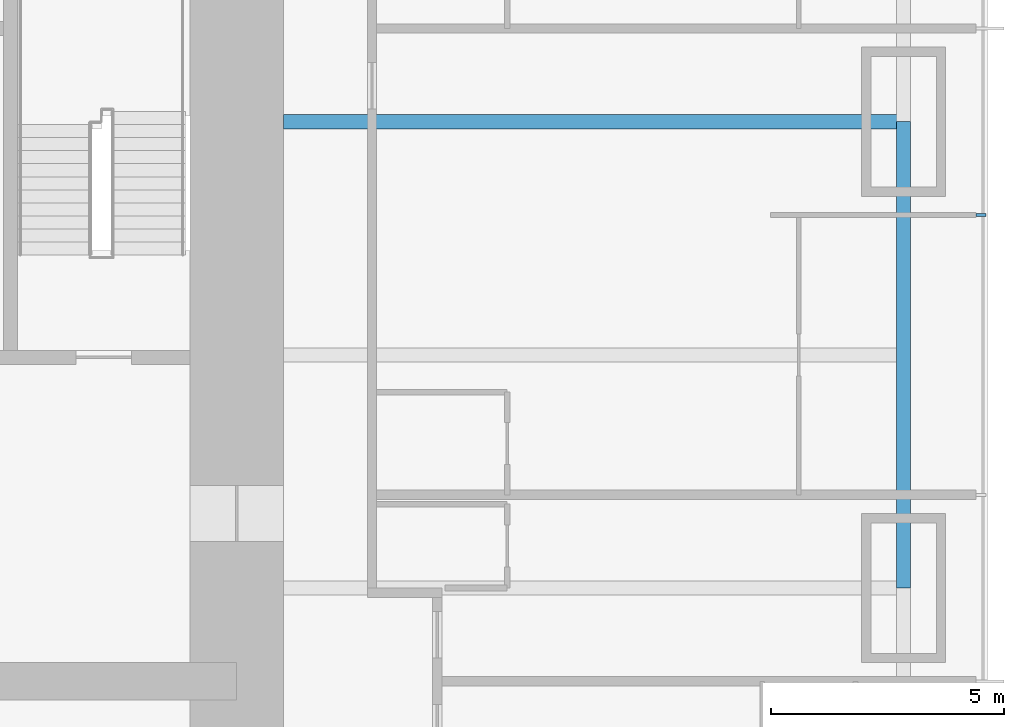
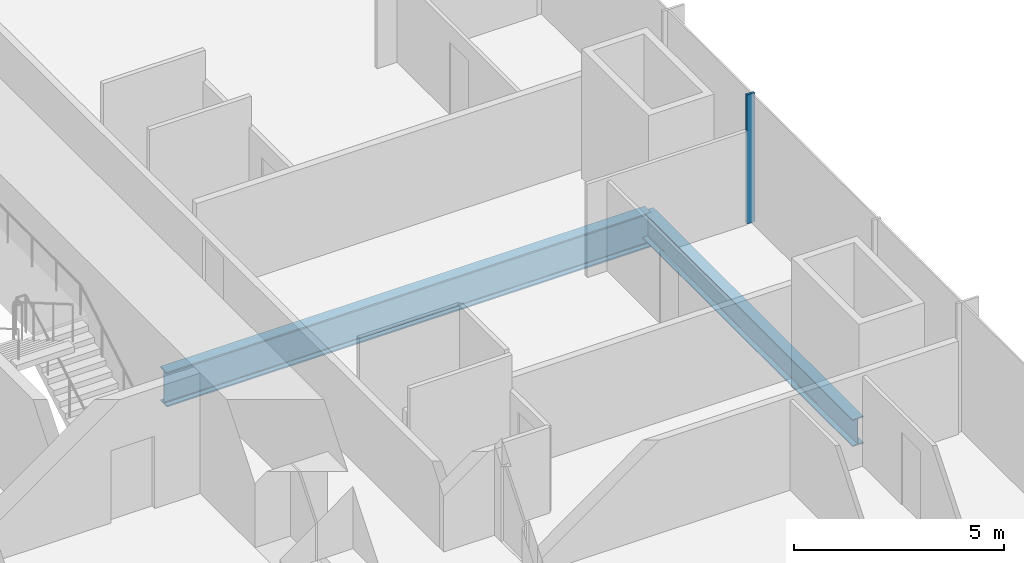
# One storey, part 5 of 17: 2 beams, 1 member, 1 element without a shape of its own.
"""IFC4 building model written with IfcOpenShell, lengths in metres."""

import ifcopenshell
import ifcopenshell.guid

model = None  # the IFC model being written
_history = None  # IfcOwnerHistory: only IFC2X3 demands one
_inside = {}  # id of a spatial element -> (the spatial element, [elements in it])
_under = {}  # id of a project, library or spatial element -> (it, [spatial elements below it])
_declared = {}  # id of a project -> (the project, [libraries it declares])
_typed = {}  # id of a type object -> (the type object, [elements of that type])
_made_of = {}  # id of a material, layer set ... -> (it, [elements and type objects made of it])


def new_model(schema):
    """Start an empty IFC model of exactly this schema.

    Asked for "IFC4X3", IfcOpenShell would pick the latest addendum, in which some entities
    have other attributes; the version numbers below select the first issue.
    IFC2X3 requires an IfcOwnerHistory on every rooted entity: one is made here for all.
    """
    global model, _history
    if schema == "IFC4X3":
        model = ifcopenshell.file(schema_version=(4, 3, 0, 0))
    else:
        model = ifcopenshell.file(schema=schema)
    _inside.clear()
    _under.clear()
    _declared.clear()
    _typed.clear()
    _made_of.clear()
    _history = None
    if model.schema == "IFC2X3":
        org = make("IfcOrganization", Name="unknown")
        user = make(
            "IfcPersonAndOrganization",
            ThePerson=make("IfcPerson", FamilyName="unknown"),
            TheOrganization=org,
        )
        app = make(
            "IfcApplication",
            ApplicationDeveloper=org,
            Version="unknown",
            ApplicationFullName="unknown",
            ApplicationIdentifier="unknown",
        )
        _history = make(
            "IfcOwnerHistory",
            OwningUser=user,
            OwningApplication=app,
            ChangeAction="ADDED",
            CreationDate=0,
        )
    return model


def make(cls, **values):
    """One entity of the class cls with the attributes given. An attribute that is None is left unset."""
    return model.create_entity(
        cls, **{name: value for name, value in values.items() if value is not None}
    )


def rooted(cls, **values):
    """An entity with a GlobalId (a new one), such as an element, a storey or a relation."""
    return make(cls, GlobalId=ifcopenshell.guid.new(), OwnerHistory=_history, **values)


def si_unit(unit_type, name, prefix=None):
    """IfcSIUnit, for example si_unit("LENGTHUNIT", "METRE", prefix="MILLI")."""
    return make("IfcSIUnit", UnitType=unit_type, Prefix=prefix, Name=name)


def assignment(units):
    """IfcUnitAssignment: the units of a project."""
    return None if units is None else make("IfcUnitAssignment", Units=units)


def point(xyz):
    """IfcCartesianPoint."""
    return None if xyz is None else make("IfcCartesianPoint", Coordinates=xyz)


def direction(xyz):
    """IfcDirection."""
    return None if xyz is None else make("IfcDirection", DirectionRatios=xyz)


def frame(location, z_axis=None, x_axis=None):
    """IfcAxis2Placement3D, a coordinate frame: its origin and axes. An axis left out is left unset."""
    return make(
        "IfcAxis2Placement3D",
        Location=point(location),
        Axis=direction(z_axis),
        RefDirection=direction(x_axis),
    )


def frame_2d(location, x_axis=None):
    """IfcAxis2Placement2D, a coordinate frame in the plane: its origin and x axis."""
    return make(
        "IfcAxis2Placement2D", Location=point(location), RefDirection=direction(x_axis)
    )


def origin():
    """The frame at (0, 0, 0) with its axes left unset."""
    return frame((0.0, 0.0, 0.0))


def origin_2d():
    """The frame at (0, 0) in the plane with its x axis left unset."""
    return frame_2d((0.0, 0.0))


def place(relative_to, where):
    """IfcLocalPlacement: puts the frame where relative to a parent placement (None: the world)."""
    return make(
        "IfcLocalPlacement", PlacementRelTo=relative_to, RelativePlacement=where
    )


def context(
    kind, dimensions, precision=None, world=None, true_north=None, identifier=None
):
    """IfcGeometricRepresentationContext, for example the 3D "Model" context."""
    return make(
        "IfcGeometricRepresentationContext",
        ContextIdentifier=identifier,
        ContextType=kind,
        CoordinateSpaceDimension=dimensions,
        Precision=precision,
        WorldCoordinateSystem=world,
        TrueNorth=true_north,
    )


def subcontext(parent, identifier, kind, view, scale=None):
    """IfcGeometricRepresentationSubContext, for example "Body" below "Model"."""
    return make(
        "IfcGeometricRepresentationSubContext",
        ContextIdentifier=identifier,
        ContextType=kind,
        ParentContext=parent,
        TargetScale=scale,
        TargetView=view,
    )


def project(units=None, contexts=None):
    """IfcProject with its units and contexts."""
    return rooted(
        "IfcProject",
        Name="project",
        RepresentationContexts=contexts,
        UnitsInContext=assignment(units),
    )


def spatial(cls, under=None, at=None, **own):
    """A site, building, storey or space (cls), placed at a placement, below another one or the project."""
    s = rooted(cls, ObjectPlacement=at, **own)
    if under is not None:
        _under.setdefault(under.id(), (under, []))[1].append(s)
    return s


def profile(cls, at=None, kind="AREA", **sizes):
    """A parametric profile (cls). Its sizes go by their IFC names, for example OverallWidth=200.0."""
    return make(cls, ProfileType=kind, Position=at, **sizes)


def rectangle(**sizes):
    """IfcRectangleProfileDef."""
    return profile("IfcRectangleProfileDef", **sizes)


def i_section(**sizes):
    """IfcIShapeProfileDef."""
    return profile("IfcIShapeProfileDef", **sizes)


def extrude(swept, where, along, depth):
    """IfcExtrudedAreaSolid: the profile swept, set in the frame where, extruded along a direction by depth."""
    return make(
        "IfcExtrudedAreaSolid",
        SweptArea=swept,
        Position=where,
        ExtrudedDirection=direction(along),
        Depth=depth,
    )


def shape(context_of_items, identifier, shape_type, items):
    """IfcShapeRepresentation: the items that make up one representation, for example the "Body"."""
    return make(
        "IfcShapeRepresentation",
        ContextOfItems=context_of_items,
        RepresentationIdentifier=identifier,
        RepresentationType=shape_type,
        Items=items,
    )


def material(Name=None, Category=None):
    """IfcMaterial."""
    return make("IfcMaterial", Name=Name, Category=Category)


def material_profile(
    of_material, cross_section, Name=None, Category=None, Priority=None
):
    """IfcMaterialProfile: a cross section and its material."""
    return make(
        "IfcMaterialProfile",
        Name=Name,
        Material=of_material,
        Profile=cross_section,
        Priority=Priority,
        Category=Category,
    )


def profile_set(profiles, Name=None, composite=None):
    """IfcMaterialProfileSet."""
    return make(
        "IfcMaterialProfileSet",
        Name=Name,
        MaterialProfiles=profiles,
        CompositeProfile=composite,
    )


def made_of(thing, what):
    """Note that an element or type object is made of a material, layer set ...; save() writes the relation."""
    if what is not None:
        _made_of.setdefault(what.id(), (what, []))[1].append(thing)
    return thing


def type_object(cls, material=None, **own):
    """A type object (cls), such as IfcWallType, which elements share."""
    return made_of(rooted(cls, **own), material)


def element(
    cls,
    number,
    at=None,
    inside=None,
    cuts=None,
    type_object=None,
    material=None,
    context=None,
    identifier="Body",
    shape_type=None,
    held_by="IfcProductDefinitionShape",
    body=None,
    shapes=None,
    **own,
):
    """One element of the class cls, such as IfcWall. Its Tag is "e" and its number.

    at: its placement. inside: the storey or other place that contains it. cuts: it is an
    opening in that element (IfcRelVoidsElement). A single representation is given by context,
    identifier, shape_type and body (its items); several are given by shapes. held_by: the class
    of the entity that holds the representations. save() writes the other relations.
    """
    e = rooted(cls, Tag="e%d" % number, ObjectPlacement=at, **own)
    if body is not None:
        shapes = [shape(context, identifier, shape_type, body)]
    if shapes is not None:
        e.Representation = make(held_by, Representations=shapes)
    if inside is not None:
        _inside.setdefault(inside.id(), (inside, []))[1].append(e)
    if cuts is not None:
        rooted(
            "IfcRelVoidsElement", RelatingBuildingElement=cuts, RelatedOpeningElement=e
        )
    if type_object is not None:
        _typed.setdefault(type_object.id(), (type_object, []))[1].append(e)
    return made_of(e, material)


def aggregate(whole, parts):
    """IfcRelAggregates: a whole, such as a stair, and the parts it consists of."""
    return rooted("IfcRelAggregates", RelatingObject=whole, RelatedObjects=parts)


def save(model, path):
    """Write the relations noted so far, then the file.

    IfcRelAggregates (storeys below a building ...), IfcRelContainedInSpatialStructure (elements
    in a storey), IfcRelDefinesByType, IfcRelAssociatesMaterial and IfcRelDeclares: one each for
    every whole, place, type object, material and project.
    """
    for whole, parts in _under.values():
        aggregate(whole, parts)
    for where, things in _inside.values():
        rooted(
            "IfcRelContainedInSpatialStructure",
            RelatedElements=things,
            RelatingStructure=where,
        )
    for kind, things in _typed.values():
        rooted("IfcRelDefinesByType", RelatedObjects=things, RelatingType=kind)
    for what, things in _made_of.values():
        rooted("IfcRelAssociatesMaterial", RelatedObjects=things, RelatingMaterial=what)
    for by, libraries in _declared.values():
        rooted("IfcRelDeclares", RelatingContext=by, RelatedDefinitions=libraries)
    model.write(path)


model = new_model("IFC4")

# Units and contexts
model_context = context("Model", 3, precision=1e-05, world=origin(), true_north=direction((0.0, 1.0)))
body_context = subcontext(model_context, "Body", "Model", "MODEL_VIEW")
ifc_project = project(units=[si_unit("LENGTHUNIT", "METRE"), si_unit("AREAUNIT", "SQUARE_METRE"), si_unit("VOLUMEUNIT", "CUBIC_METRE"), si_unit("PLANEANGLEUNIT", "RADIAN"), si_unit("MASSUNIT", "GRAM", prefix="KILO")], contexts=[model_context])

# Site, building, storey
site_placement = place(None, origin())
site = spatial("IfcSite", under=ifc_project, at=site_placement, CompositionType="ELEMENT")
building_placement = place(site_placement, origin())
building = spatial("IfcBuilding", under=site, at=building_placement, Name="Khuree Lantern Residences", CompositionType="ELEMENT")
storey_placement = place(building_placement, frame((0.0, 0.0, 51.0)))
storey = spatial("IfcBuildingStorey", under=building, at=storey_placement, Name="L12", CompositionType="ELEMENT", Elevation=51.0)

# Beams
ifc_material_1 = material(Name="Steel S355", Category="steel")
ifc_material_profile_1 = material_profile(ifc_material_1, i_section(OverallWidth=0.300048828125, OverallDepth=0.7900390625, WebThickness=0.014892578125, FlangeThickness=0.028076171875, FilletRadius=0.030029296875, at=origin_2d()), Name="HE 800 A")
ifc_profile_set_1 = profile_set([ifc_material_profile_1], Name="Steel S355")
beam_type_1 = type_object("IfcBeamType", Name="E-13 SPANDREL BEAM HE 800 A", PredefinedType="SPANDREL", material=ifc_profile_set_1)
beam_1_placement = place(storey_placement, frame((29.800048828125, 0.0, -0.64501953125), z_axis=(0.0, -1.0, 0.0), x_axis=(1.0, 0.0, 0.0)))
element("IfcBeam", 1, at=beam_1_placement, inside=storey, type_object=beam_type_1, Name="Spandrel beam E4", PredefinedType="SPANDREL", context=body_context, shape_type="SweptSolid", body=[
    extrude(i_section(OverallWidth=0.300048828125, OverallDepth=0.7900390625, WebThickness=0.014892578125, FlangeThickness=0.028076171875, FilletRadius=0.030029296875, at=origin_2d()), origin(), (0.0, 0.0, 1.0), 10.0),
])
ifc_material_profile_2 = material_profile(ifc_material_1, i_section(OverallWidth=0.302001953125, OverallDepth=1.008056640625, WebThickness=0.02099609375, FlangeThickness=0.0400390625, FilletRadius=0.030029296875, at=origin_2d()), Name="HE 1000 M")
ifc_profile_set_2 = profile_set([ifc_material_profile_2], Name="Steel S355")
beam_type_2 = type_object("IfcBeamType", Name="G-13 GIRDER HE 1000 M", PredefinedType="BEAM", material=ifc_profile_set_2)
beam_2_placement = place(storey_placement, frame((29.800048828125, 0.0, -0.75390625), z_axis=(-1.0, 0.0, 0.0), x_axis=(0.0, -1.0, 0.0)))
element("IfcBeam", 2, at=beam_2_placement, inside=storey, type_object=beam_type_2, Name="Girder E3", PredefinedType="BEAM", context=body_context, shape_type="SweptSolid", body=[
    extrude(i_section(OverallWidth=0.302001953125, OverallDepth=1.008056640625, WebThickness=0.02099609375, FlangeThickness=0.0400390625, FilletRadius=0.030029296875, at=origin_2d()), origin(), (0.0, 0.0, 1.0), 13.300048828125),
])

# Curtain wall, member
ifc_material_2 = material(Name="Bronze anodised aluminium", Category="aluminium")
curtain_wall_type = type_object("IfcCurtainWallType", Name="CW-T1 TOWER FACE CURTAIN WALL", PredefinedType="USERDEFINED", material=ifc_material_2)
curtain_wall_placement = place(storey_placement, origin())
curtain_wall = element("IfcCurtainWall", 3, at=curtain_wall_placement, inside=storey, type_object=curtain_wall_type, Name="L12 EAST FACE CURTAIN WALL", ObjectType="Stick-built curtain wall", PredefinedType="USERDEFINED")
ifc_material_profile_3 = material_profile(ifc_material_2, rectangle(XDim=0.06494140625, YDim=0.219970703125, at=origin_2d()), Name="M1 65X220")
ifc_profile_set_3 = profile_set([ifc_material_profile_3], Name="Bronze anodised aluminium")
member_type = type_object("IfcMemberType", Name="M1 BRONZE MULLION TOWER 65X220", PredefinedType="MULLION", material=ifc_profile_set_3)
member_placement = place(storey_placement, frame((31.4599609375, -2.0, 0.0), z_axis=(0.0, 0.0, 1.0), x_axis=(0.0, 1.0, 0.0)))
member = element("IfcMember", 4, at=member_placement, type_object=member_type, Name="L12 EAST FACE MULLION 9", PredefinedType="MULLION", context=body_context, shape_type="SweptSolid", body=[
    extrude(rectangle(XDim=0.06494140625, YDim=0.219970703125, at=origin_2d()), origin(), (0.0, 0.0, 1.0), 3.75),
])
aggregate(curtain_wall, [member])

save(model, "model.ifc")
